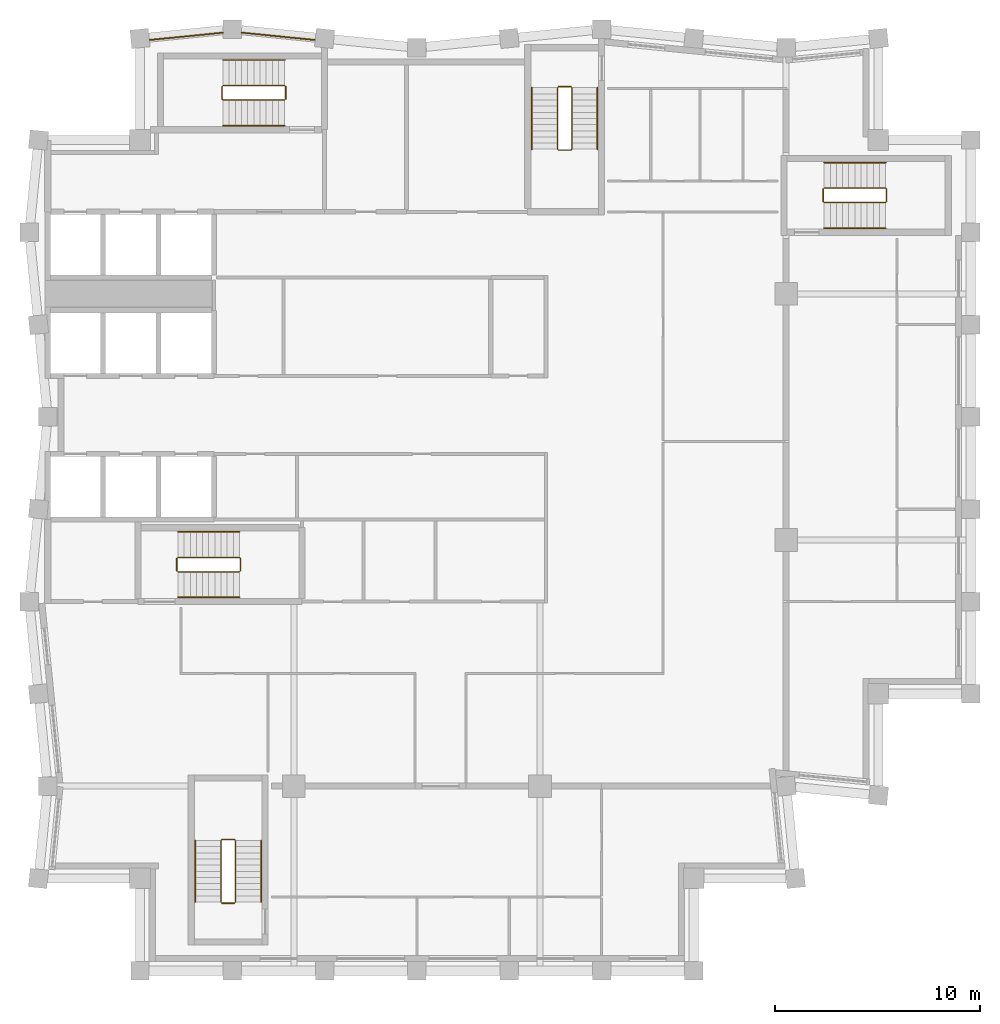
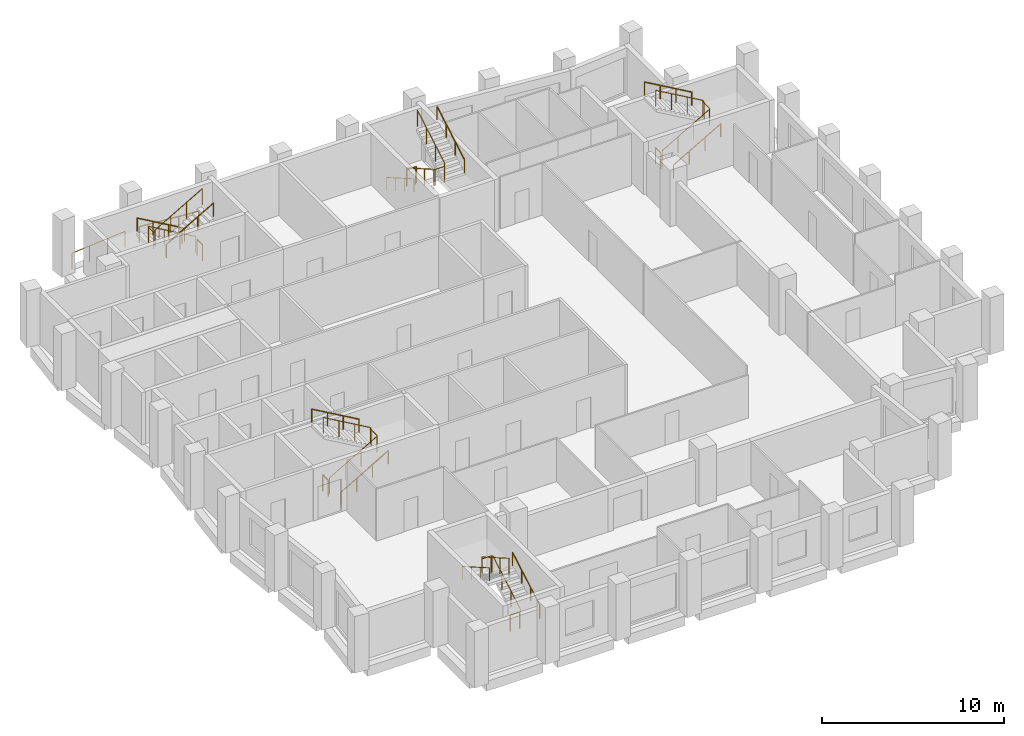
# One storey, part 7 of 7: 22 railings.
"""IFC4 building model written with IfcOpenShell, lengths in metres."""

from ifc_helpers import new_model, si_unit, direction, frame, origin, origin_2d, place, context, subcontext, project, spatial, circle, extrude, material, type_object, element, save


model = new_model("IFC4")

# Units and contexts
model_context = context("Model", 3, precision=1e-05, world=origin(), true_north=direction((0.0, 1.0)))
body_context = subcontext(model_context, "Body", "Model", "MODEL_VIEW")
ifc_project = project(units=[si_unit("LENGTHUNIT", "METRE"), si_unit("AREAUNIT", "SQUARE_METRE"), si_unit("VOLUMEUNIT", "CUBIC_METRE"), si_unit("PLANEANGLEUNIT", "RADIAN"), si_unit("MASSUNIT", "GRAM", prefix="KILO")], contexts=[model_context])

# Site, building, storey
site_placement = place(None, origin())
site = spatial("IfcSite", under=ifc_project, at=site_placement, CompositionType="ELEMENT")
building_placement = place(site_placement, origin())
building = spatial("IfcBuilding", under=site, at=building_placement, Name="Brondeck Convention Tower", CompositionType="ELEMENT")
storey_placement = place(building_placement, frame((0.0, 0.0, 271.39990234375)))
storey = spatial("IfcBuildingStorey", under=building, at=storey_placement, Name="L67", CompositionType="ELEMENT", Elevation=271.39990234375)

# Railings
ifc_material_1 = material(Name="Steel S355, bronze painted", Category="steel")
railing_type_1 = type_object("IfcRailingType", Name="Guard, bronze steel rail and posts", PredefinedType="GUARDRAIL", material=ifc_material_1)
railing_1_placement = place(storey_placement, frame((4.9794921875, 63.37744140625, 0.0)))
element("IfcRailing", 1, at=railing_1_placement, inside=storey, type_object=railing_type_1, Name="ENV-RL-L67-REAR1", PredefinedType="GUARDRAIL", context=body_context, shape_type="SweptSolid", body=[
    extrude(circle(Radius=0.02490234375, at=origin_2d()), frame((0.0, 0.0, 1.0751953125), z_axis=(0.995037864926, 0.099496971632, 0.0), x_axis=(-0.099496971632, 0.995037864926, 0.0)), (0.0, 0.0, 1.0), 3.58251953125),
    extrude(circle(Radius=0.02490234375, at=origin_2d()), origin(), (0.0, 0.0, 1.0), 1.050048828125),
    extrude(circle(Radius=0.02490234375, at=origin_2d()), frame((1.188232421875, 0.118896484375, 0.0)), (0.0, 0.0, 1.0), 1.050048828125),
    extrude(circle(Radius=0.02490234375, at=origin_2d()), frame((2.37646484375, 0.237548828125, 0.0)), (0.0, 0.0, 1.0), 1.050048828125),
    extrude(circle(Radius=0.02490234375, at=origin_2d()), frame((3.564697265625, 0.3564453125, 0.0)), (0.0, 0.0, 1.0), 1.050048828125),
])
railing_2_placement = place(storey_placement, frame((9.455810546875, 63.73388671875, 0.0)))
element("IfcRailing", 2, at=railing_2_placement, inside=storey, type_object=railing_type_1, Name="ENV-RL-L67-REAR2", PredefinedType="GUARDRAIL", context=body_context, shape_type="SweptSolid", body=[
    extrude(circle(Radius=0.02490234375, at=origin_2d()), frame((0.0, 0.0, 1.0751953125), z_axis=(0.995037864926, -0.099496971632, 0.0), x_axis=(0.099496971632, 0.995037864926, 0.0)), (0.0, 0.0, 1.0), 3.58251953125),
    extrude(circle(Radius=0.02490234375, at=origin_2d()), origin(), (0.0, 0.0, 1.0), 1.050048828125),
    extrude(circle(Radius=0.02490234375, at=origin_2d()), frame((1.188232421875, -0.118896484375, 0.0)), (0.0, 0.0, 1.0), 1.050048828125),
    extrude(circle(Radius=0.02490234375, at=origin_2d()), frame((2.37646484375, -0.237548828125, 0.0)), (0.0, 0.0, 1.0), 1.050048828125),
    extrude(circle(Radius=0.02490234375, at=origin_2d()), frame((3.564697265625, -0.3564453125, 0.0)), (0.0, 0.0, 1.0), 1.050048828125),
])
ifc_material_2 = material(Name="Steel S355", Category="steel")
railing_type_2 = type_object("IfcRailingType", Name="Stair guard 1100", PredefinedType="GUARDRAIL", material=ifc_material_2)
railing_3_placement = place(storey_placement, frame((6.35009765625, 37.449951171875, 0.1728515625)))
element("IfcRailing", 3, at=railing_3_placement, inside=storey, type_object=railing_type_2, Name="L67 ST-1 stair guard 1", PredefinedType="GUARDRAIL", context=body_context, shape_type="SweptSolid", body=[
    extrude(circle(Radius=0.02392578125, at=origin_2d()), frame((0.0, 0.0, 1.076171875), z_axis=(0.866619684472, 0.0, 0.498969260062), x_axis=(0.0, 1.0, 0.0)), (0.0, 0.0, 1.0), 3.461669921875),
    extrude(circle(Radius=0.02392578125, at=origin_2d()), frame((3.0, 0.0, 2.80322265625), z_axis=(0.705375805398, 0.708833529934, 0.0), x_axis=(-0.708833529934, 0.705375805398, 0.0)), (0.0, 0.0, 1.0), 0.070556640625),
    extrude(circle(Radius=0.02392578125, at=origin_2d()), frame((3.0498046875, 0.050048828125, 2.80322265625), z_axis=(0.0, 1.0, 0.0), x_axis=(-1.0, 0.0, 0.0)), (0.0, 0.0, 1.0), 0.60009765625),
    extrude(circle(Radius=0.02392578125, at=origin_2d()), frame((3.0498046875, 0.650146484375, 2.80322265625), z_axis=(-0.26715648603, 0.26715648603, 0.925880566782), x_axis=(-0.707106781187, -0.707106781187, 0.0)), (0.0, 0.0, 1.0), 0.1865234375),
    extrude(circle(Radius=0.02392578125, at=origin_2d()), frame((3.0, 0.699951171875, 2.97607421875), z_axis=(-0.866619684472, 0.0, 0.498969260062), x_axis=(0.0, -1.0, 0.0)), (0.0, 0.0, 1.0), 3.461669921875),
    extrude(circle(Radius=0.02099609375, at=origin_2d()), origin(), (0.0, 0.0, 1.0), 1.052001953125),
    extrude(circle(Radius=0.02099609375, at=origin_2d()), frame((1.0, 0.0, 0.57568359375)), (0.0, 0.0, 1.0), 1.052001953125),
    extrude(circle(Radius=0.02099609375, at=origin_2d()), frame((2.0, 0.0, 1.151611328125)), (0.0, 0.0, 1.0), 1.052001953125),
    extrude(circle(Radius=0.02099609375, at=origin_2d()), frame((3.0, 0.0, 1.727294921875)), (0.0, 0.0, 1.0), 1.052001953125),
    extrude(circle(Radius=0.02099609375, at=origin_2d()), frame((3.0498046875, 0.050048828125, 1.727294921875)), (0.0, 0.0, 1.0), 1.052001953125),
    extrude(circle(Radius=0.02099609375, at=origin_2d()), frame((3.0498046875, 0.650146484375, 1.727294921875)), (0.0, 0.0, 1.0), 1.052001953125),
    extrude(circle(Radius=0.02099609375, at=origin_2d()), frame((3.0, 0.699951171875, 1.89990234375)), (0.0, 0.0, 1.0), 1.052001953125),
    extrude(circle(Radius=0.02099609375, at=origin_2d()), frame((2.0, 0.699951171875, 2.4755859375)), (0.0, 0.0, 1.0), 1.052001953125),
    extrude(circle(Radius=0.02099609375, at=origin_2d()), frame((1.0, 0.699951171875, 3.051513671875)), (0.0, 0.0, 1.0), 1.052001953125),
    extrude(circle(Radius=0.02099609375, at=origin_2d()), frame((0.0, 0.699951171875, 3.627197265625)), (0.0, 0.0, 1.0), 1.052001953125),
])
railing_4_placement = place(storey_placement, frame((6.300048828125, 37.5, 0.0)))
element("IfcRailing", 4, at=railing_4_placement, inside=storey, type_object=railing_type_2, Name="L67 ST-1 stair guard 2", PredefinedType="GUARDRAIL", context=body_context, shape_type="SweptSolid", body=[
    extrude(circle(Radius=0.02392578125, at=origin_2d()), frame((0.0, 0.0, 1.076171875), z_axis=(0.0, 1.0, 0.0), x_axis=(-1.0, 0.0, 0.0)), (0.0, 0.0, 1.0), 0.60009765625),
    extrude(circle(Radius=0.02099609375, at=origin_2d()), origin(), (0.0, 0.0, 1.0), 1.052001953125),
    extrude(circle(Radius=0.02099609375, at=origin_2d()), frame((0.0, 0.60009765625, 0.0)), (0.0, 0.0, 1.0), 1.052001953125),
])
railing_5_placement = place(storey_placement, frame((24.85009765625, 61.050048828125, 0.1728515625)))
element("IfcRailing", 5, at=railing_5_placement, inside=storey, type_object=railing_type_2, Name="L67 ST-2 stair guard 1", PredefinedType="GUARDRAIL", context=body_context, shape_type="SweptSolid", body=[
    extrude(circle(Radius=0.02392578125, at=origin_2d()), frame((0.0, 0.0, 1.076171875), z_axis=(0.0, -0.866619684472, 0.498969260062), x_axis=(1.0, 0.0, 0.0)), (0.0, 0.0, 1.0), 3.461669921875),
    extrude(circle(Radius=0.02392578125, at=origin_2d()), frame((0.0, -3.0, 2.80322265625), z_axis=(0.705375805398, -0.708833529934, 0.0), x_axis=(0.708833529934, 0.705375805398, 0.0)), (0.0, 0.0, 1.0), 0.070556640625),
    extrude(circle(Radius=0.02392578125, at=origin_2d()), frame((0.0498046875, -3.050048828125, 2.80322265625), z_axis=(1.0, 0.0, 0.0), x_axis=(0.0, 1.0, 0.0)), (0.0, 0.0, 1.0), 0.60009765625),
    extrude(circle(Radius=0.02392578125, at=origin_2d()), frame((0.64990234375, -3.050048828125, 2.80322265625), z_axis=(0.268277960024, 0.268277960024, 0.925231793839), x_axis=(-0.707106781187, 0.707106781187, 0.0)), (0.0, 0.0, 1.0), 0.1865234375),
    extrude(circle(Radius=0.02392578125, at=origin_2d()), frame((0.699951171875, -3.0, 2.97607421875), z_axis=(0.0, 0.866619684472, 0.498969260062), x_axis=(-1.0, 0.0, 0.0)), (0.0, 0.0, 1.0), 3.461669921875),
    extrude(circle(Radius=0.02099609375, at=origin_2d()), origin(), (0.0, 0.0, 1.0), 1.052001953125),
    extrude(circle(Radius=0.02099609375, at=origin_2d()), frame((0.0, -1.0, 0.57568359375)), (0.0, 0.0, 1.0), 1.052001953125),
    extrude(circle(Radius=0.02099609375, at=origin_2d()), frame((0.0, -2.0, 1.151611328125)), (0.0, 0.0, 1.0), 1.052001953125),
    extrude(circle(Radius=0.02099609375, at=origin_2d()), frame((0.0, -3.0, 1.727294921875)), (0.0, 0.0, 1.0), 1.052001953125),
    extrude(circle(Radius=0.02099609375, at=origin_2d()), frame((0.0498046875, -3.050048828125, 1.727294921875)), (0.0, 0.0, 1.0), 1.052001953125),
    extrude(circle(Radius=0.02099609375, at=origin_2d()), frame((0.64990234375, -3.050048828125, 1.727294921875)), (0.0, 0.0, 1.0), 1.052001953125),
    extrude(circle(Radius=0.02099609375, at=origin_2d()), frame((0.699951171875, -3.0, 1.89990234375)), (0.0, 0.0, 1.0), 1.052001953125),
    extrude(circle(Radius=0.02099609375, at=origin_2d()), frame((0.699951171875, -2.0, 2.4755859375)), (0.0, 0.0, 1.0), 1.052001953125),
    extrude(circle(Radius=0.02099609375, at=origin_2d()), frame((0.699951171875, -1.0, 3.051513671875)), (0.0, 0.0, 1.0), 1.052001953125),
    extrude(circle(Radius=0.02099609375, at=origin_2d()), frame((0.699951171875, 0.0, 3.627197265625)), (0.0, 0.0, 1.0), 1.052001953125),
])
railing_6_placement = place(storey_placement, frame((24.89990234375, 61.10009765625, 0.0)))
element("IfcRailing", 6, at=railing_6_placement, inside=storey, type_object=railing_type_2, Name="L67 ST-2 stair guard 2", PredefinedType="GUARDRAIL", context=body_context, shape_type="SweptSolid", body=[
    extrude(circle(Radius=0.02392578125, at=origin_2d()), frame((0.0, 0.0, 1.076171875), z_axis=(1.0, 0.0, 0.0), x_axis=(0.0, 1.0, 0.0)), (0.0, 0.0, 1.0), 0.60009765625),
    extrude(circle(Radius=0.02099609375, at=origin_2d()), origin(), (0.0, 0.0, 1.0), 1.052001953125),
    extrude(circle(Radius=0.02099609375, at=origin_2d()), frame((0.60009765625, 0.0, 0.0)), (0.0, 0.0, 1.0), 1.052001953125),
])
railing_7_placement = place(storey_placement, frame((11.550048828125, 61.14990234375, 0.1728515625)))
element("IfcRailing", 7, at=railing_7_placement, inside=storey, type_object=railing_type_2, Name="L67 ST-3 stair guard 1", PredefinedType="GUARDRAIL", context=body_context, shape_type="SweptSolid", body=[
    extrude(circle(Radius=0.02392578125, at=origin_2d()), frame((0.0, 0.0, 1.076171875), z_axis=(-0.866619684472, 0.0, 0.498969260062), x_axis=(0.0, -1.0, 0.0)), (0.0, 0.0, 1.0), 3.461669921875),
    extrude(circle(Radius=0.02392578125, at=origin_2d()), frame((-3.0, 0.0, 2.80322265625), z_axis=(-0.708833529934, -0.705375805398, 0.0), x_axis=(0.705375805398, -0.708833529934, 0.0)), (0.0, 0.0, 1.0), 0.070556640625),
    extrude(circle(Radius=0.02392578125, at=origin_2d()), frame((-3.050048828125, -0.0498046875, 2.80322265625), z_axis=(0.0, -1.0, 0.0), x_axis=(1.0, 0.0, 0.0)), (0.0, 0.0, 1.0), 0.60009765625),
    extrude(circle(Radius=0.02392578125, at=origin_2d()), frame((-3.050048828125, -0.64990234375, 2.80322265625), z_axis=(0.268277960024, -0.268277960024, 0.925231793839), x_axis=(0.707106781187, 0.707106781187, 0.0)), (0.0, 0.0, 1.0), 0.1865234375),
    extrude(circle(Radius=0.02392578125, at=origin_2d()), frame((-3.0, -0.699951171875, 2.97607421875), z_axis=(0.866619684472, 0.0, 0.498969260062), x_axis=(0.0, 1.0, 0.0)), (0.0, 0.0, 1.0), 3.461669921875),
    extrude(circle(Radius=0.02099609375, at=origin_2d()), origin(), (0.0, 0.0, 1.0), 1.052001953125),
    extrude(circle(Radius=0.02099609375, at=origin_2d()), frame((-1.0, 0.0, 0.57568359375)), (0.0, 0.0, 1.0), 1.052001953125),
    extrude(circle(Radius=0.02099609375, at=origin_2d()), frame((-2.0, 0.0, 1.151611328125)), (0.0, 0.0, 1.0), 1.052001953125),
    extrude(circle(Radius=0.02099609375, at=origin_2d()), frame((-3.0, 0.0, 1.727294921875)), (0.0, 0.0, 1.0), 1.052001953125),
    extrude(circle(Radius=0.02099609375, at=origin_2d()), frame((-3.050048828125, -0.0498046875, 1.727294921875)), (0.0, 0.0, 1.0), 1.052001953125),
    extrude(circle(Radius=0.02099609375, at=origin_2d()), frame((-3.050048828125, -0.64990234375, 1.727294921875)), (0.0, 0.0, 1.0), 1.052001953125),
    extrude(circle(Radius=0.02099609375, at=origin_2d()), frame((-3.0, -0.699951171875, 1.89990234375)), (0.0, 0.0, 1.0), 1.052001953125),
    extrude(circle(Radius=0.02099609375, at=origin_2d()), frame((-2.0, -0.699951171875, 2.4755859375)), (0.0, 0.0, 1.0), 1.052001953125),
    extrude(circle(Radius=0.02099609375, at=origin_2d()), frame((-1.0, -0.699951171875, 3.051513671875)), (0.0, 0.0, 1.0), 1.052001953125),
    extrude(circle(Radius=0.02099609375, at=origin_2d()), frame((0.0, -0.699951171875, 3.627197265625)), (0.0, 0.0, 1.0), 1.052001953125),
])
railing_8_placement = place(storey_placement, frame((11.60009765625, 61.10009765625, 0.0)))
element("IfcRailing", 8, at=railing_8_placement, inside=storey, type_object=railing_type_2, Name="L67 ST-3 stair guard 2", PredefinedType="GUARDRAIL", context=body_context, shape_type="SweptSolid", body=[
    extrude(circle(Radius=0.02392578125, at=origin_2d()), frame((0.0, 0.0, 1.076171875), z_axis=(0.0, -1.0, 0.0), x_axis=(1.0, 0.0, 0.0)), (0.0, 0.0, 1.0), 0.60009765625),
    extrude(circle(Radius=0.02099609375, at=origin_2d()), origin(), (0.0, 0.0, 1.0), 1.052001953125),
    extrude(circle(Radius=0.02099609375, at=origin_2d()), frame((0.0, -0.60009765625, 0.0)), (0.0, 0.0, 1.0), 1.052001953125),
])
railing_9_placement = place(storey_placement, frame((37.85009765625, 55.449951171875, 0.1728515625)))
element("IfcRailing", 9, at=railing_9_placement, inside=storey, type_object=railing_type_2, Name="L67 ST-AE stair guard 1", PredefinedType="GUARDRAIL", context=body_context, shape_type="SweptSolid", body=[
    extrude(circle(Radius=0.02392578125, at=origin_2d()), frame((0.0, 0.0, 1.076171875), z_axis=(0.866619684472, 0.0, 0.498969260062), x_axis=(0.0, 1.0, 0.0)), (0.0, 0.0, 1.0), 3.461669921875),
    extrude(circle(Radius=0.02392578125, at=origin_2d()), frame((3.0, 0.0, 2.80322265625), z_axis=(0.705375805398, 0.708833529934, 0.0), x_axis=(-0.708833529934, 0.705375805398, 0.0)), (0.0, 0.0, 1.0), 0.070556640625),
    extrude(circle(Radius=0.02392578125, at=origin_2d()), frame((3.0498046875, 0.050048828125, 2.80322265625), z_axis=(0.0, 1.0, 0.0), x_axis=(-1.0, 0.0, 0.0)), (0.0, 0.0, 1.0), 0.60009765625),
    extrude(circle(Radius=0.02392578125, at=origin_2d()), frame((3.0498046875, 0.650146484375, 2.80322265625), z_axis=(-0.26715648603, 0.26715648603, 0.925880566782), x_axis=(-0.707106781187, -0.707106781187, 0.0)), (0.0, 0.0, 1.0), 0.1865234375),
    extrude(circle(Radius=0.02392578125, at=origin_2d()), frame((3.0, 0.699951171875, 2.97607421875), z_axis=(-0.866619684472, 0.0, 0.498969260062), x_axis=(0.0, -1.0, 0.0)), (0.0, 0.0, 1.0), 3.461669921875),
    extrude(circle(Radius=0.02099609375, at=origin_2d()), origin(), (0.0, 0.0, 1.0), 1.052001953125),
    extrude(circle(Radius=0.02099609375, at=origin_2d()), frame((1.0, 0.0, 0.57568359375)), (0.0, 0.0, 1.0), 1.052001953125),
    extrude(circle(Radius=0.02099609375, at=origin_2d()), frame((2.0, 0.0, 1.151611328125)), (0.0, 0.0, 1.0), 1.052001953125),
    extrude(circle(Radius=0.02099609375, at=origin_2d()), frame((3.0, 0.0, 1.727294921875)), (0.0, 0.0, 1.0), 1.052001953125),
    extrude(circle(Radius=0.02099609375, at=origin_2d()), frame((3.0498046875, 0.050048828125, 1.727294921875)), (0.0, 0.0, 1.0), 1.052001953125),
    extrude(circle(Radius=0.02099609375, at=origin_2d()), frame((3.0498046875, 0.650146484375, 1.727294921875)), (0.0, 0.0, 1.0), 1.052001953125),
    extrude(circle(Radius=0.02099609375, at=origin_2d()), frame((3.0, 0.699951171875, 1.89990234375)), (0.0, 0.0, 1.0), 1.052001953125),
    extrude(circle(Radius=0.02099609375, at=origin_2d()), frame((2.0, 0.699951171875, 2.4755859375)), (0.0, 0.0, 1.0), 1.052001953125),
    extrude(circle(Radius=0.02099609375, at=origin_2d()), frame((1.0, 0.699951171875, 3.051513671875)), (0.0, 0.0, 1.0), 1.052001953125),
    extrude(circle(Radius=0.02099609375, at=origin_2d()), frame((0.0, 0.699951171875, 3.627197265625)), (0.0, 0.0, 1.0), 1.052001953125),
])
railing_10_placement = place(storey_placement, frame((37.800048828125, 55.5, 0.0)))
element("IfcRailing", 10, at=railing_10_placement, inside=storey, type_object=railing_type_2, Name="L67 ST-AE stair guard 2", PredefinedType="GUARDRAIL", context=body_context, shape_type="SweptSolid", body=[
    extrude(circle(Radius=0.02392578125, at=origin_2d()), frame((0.0, 0.0, 1.076171875), z_axis=(0.0, 1.0, 0.0), x_axis=(-1.0, 0.0, 0.0)), (0.0, 0.0, 1.0), 0.60009765625),
    extrude(circle(Radius=0.02099609375, at=origin_2d()), origin(), (0.0, 0.0, 1.0), 1.052001953125),
    extrude(circle(Radius=0.02099609375, at=origin_2d()), frame((0.0, 0.60009765625, 0.0)), (0.0, 0.0, 1.0), 1.052001953125),
])
railing_11_placement = place(storey_placement, frame((9.14990234375, 21.35009765625, 0.1728515625)))
element("IfcRailing", 11, at=railing_11_placement, inside=storey, type_object=railing_type_2, Name="L67 ST-BE stair guard 1", PredefinedType="GUARDRAIL", context=body_context, shape_type="SweptSolid", body=[
    extrude(circle(Radius=0.02392578125, at=origin_2d()), frame((0.0, 0.0, 1.076171875), z_axis=(0.0, 0.866619684472, 0.498969260062), x_axis=(-1.0, 0.0, 0.0)), (0.0, 0.0, 1.0), 3.461669921875),
    extrude(circle(Radius=0.02392578125, at=origin_2d()), frame((0.0, 3.0, 2.80322265625), z_axis=(-0.707106781187, 0.707106781187, 0.0), x_axis=(-0.707106781187, -0.707106781187, 0.0)), (0.0, 0.0, 1.0), 0.0703125),
    extrude(circle(Radius=0.02392578125, at=origin_2d()), frame((-0.0498046875, 3.0498046875, 2.80322265625), z_axis=(-1.0, 0.0, 0.0), x_axis=(0.0, -1.0, 0.0)), (0.0, 0.0, 1.0), 0.60009765625),
    extrude(circle(Radius=0.02392578125, at=origin_2d()), frame((-0.64990234375, 3.0498046875, 2.80322265625), z_axis=(-0.268371968888, -0.267062837333, 0.925556009775), x_axis=(0.705375805398, -0.708833529934, 0.0)), (0.0, 0.0, 1.0), 0.1865234375),
    extrude(circle(Radius=0.02392578125, at=origin_2d()), frame((-0.699951171875, 3.0, 2.97607421875), z_axis=(0.0, -0.866619684472, 0.498969260062), x_axis=(1.0, 0.0, 0.0)), (0.0, 0.0, 1.0), 3.461669921875),
    extrude(circle(Radius=0.02099609375, at=origin_2d()), origin(), (0.0, 0.0, 1.0), 1.052001953125),
    extrude(circle(Radius=0.02099609375, at=origin_2d()), frame((0.0, 1.0, 0.57568359375)), (0.0, 0.0, 1.0), 1.052001953125),
    extrude(circle(Radius=0.02099609375, at=origin_2d()), frame((0.0, 2.0, 1.151611328125)), (0.0, 0.0, 1.0), 1.052001953125),
    extrude(circle(Radius=0.02099609375, at=origin_2d()), frame((0.0, 3.0, 1.727294921875)), (0.0, 0.0, 1.0), 1.052001953125),
    extrude(circle(Radius=0.02099609375, at=origin_2d()), frame((-0.0498046875, 3.0498046875, 1.727294921875)), (0.0, 0.0, 1.0), 1.052001953125),
    extrude(circle(Radius=0.02099609375, at=origin_2d()), frame((-0.64990234375, 3.0498046875, 1.727294921875)), (0.0, 0.0, 1.0), 1.052001953125),
    extrude(circle(Radius=0.02099609375, at=origin_2d()), frame((-0.699951171875, 3.0, 1.89990234375)), (0.0, 0.0, 1.0), 1.052001953125),
    extrude(circle(Radius=0.02099609375, at=origin_2d()), frame((-0.699951171875, 2.0, 2.4755859375)), (0.0, 0.0, 1.0), 1.052001953125),
    extrude(circle(Radius=0.02099609375, at=origin_2d()), frame((-0.699951171875, 1.0, 3.051513671875)), (0.0, 0.0, 1.0), 1.052001953125),
    extrude(circle(Radius=0.02099609375, at=origin_2d()), frame((-0.699951171875, 0.0, 3.627197265625)), (0.0, 0.0, 1.0), 1.052001953125),
])
railing_12_placement = place(storey_placement, frame((9.10009765625, 21.300048828125, 0.0)))
element("IfcRailing", 12, at=railing_12_placement, inside=storey, type_object=railing_type_2, Name="L67 ST-BE stair guard 2", PredefinedType="GUARDRAIL", context=body_context, shape_type="SweptSolid", body=[
    extrude(circle(Radius=0.02392578125, at=origin_2d()), frame((0.0, 0.0, 1.076171875), z_axis=(-1.0, 0.0, 0.0), x_axis=(0.0, -1.0, 0.0)), (0.0, 0.0, 1.0), 0.60009765625),
    extrude(circle(Radius=0.02099609375, at=origin_2d()), origin(), (0.0, 0.0, 1.0), 1.052001953125),
    extrude(circle(Radius=0.02099609375, at=origin_2d()), frame((-0.60009765625, 0.0, 0.0)), (0.0, 0.0, 1.0), 1.052001953125),
])
railing_type_3 = type_object("IfcRailingType", Name="Stair handrail", PredefinedType="HANDRAIL", material=ifc_material_2)
railing_13_placement = place(storey_placement, frame((6.35009765625, 36.199951171875, 0.1728515625)))
element("IfcRailing", 13, at=railing_13_placement, inside=storey, type_object=railing_type_3, Name="L67 ST-1 stair handrail 1", PredefinedType="HANDRAIL", context=body_context, shape_type="SweptSolid", body=[
    extrude(circle(Radius=0.02392578125, at=origin_2d()), frame((0.0, 0.0, 0.8759765625), z_axis=(0.866619684472, 0.0, 0.498969260062), x_axis=(0.0, 1.0, 0.0)), (0.0, 0.0, 1.0), 3.461669921875),
    extrude(circle(Radius=0.02099609375, at=origin_2d()), origin(), (0.0, 0.0, 1.0), 0.851806640625),
    extrude(circle(Radius=0.02099609375, at=origin_2d()), frame((1.0, 0.0, 0.57568359375)), (0.0, 0.0, 1.0), 0.851806640625),
    extrude(circle(Radius=0.02099609375, at=origin_2d()), frame((2.0, 0.0, 1.151611328125)), (0.0, 0.0, 1.0), 0.851806640625),
    extrude(circle(Radius=0.02099609375, at=origin_2d()), frame((3.0, 0.0, 1.727294921875)), (0.0, 0.0, 1.0), 0.851806640625),
])
railing_14_placement = place(storey_placement, frame((9.35009765625, 39.39990234375, 2.07275390625)))
element("IfcRailing", 14, at=railing_14_placement, inside=storey, type_object=railing_type_3, Name="L67 ST-1 stair handrail 2", PredefinedType="HANDRAIL", context=body_context, shape_type="SweptSolid", body=[
    extrude(circle(Radius=0.02392578125, at=origin_2d()), frame((0.0, 0.0, 0.8759765625), z_axis=(-0.866619684472, 0.0, 0.498969260062), x_axis=(0.0, -1.0, 0.0)), (0.0, 0.0, 1.0), 3.461669921875),
    extrude(circle(Radius=0.02099609375, at=origin_2d()), origin(), (0.0, 0.0, 1.0), 0.851806640625),
    extrude(circle(Radius=0.02099609375, at=origin_2d()), frame((-1.0, 0.0, 0.57568359375)), (0.0, 0.0, 1.0), 0.851806640625),
    extrude(circle(Radius=0.02099609375, at=origin_2d()), frame((-2.0, 0.0, 1.151611328125)), (0.0, 0.0, 1.0), 0.851806640625),
    extrude(circle(Radius=0.02099609375, at=origin_2d()), frame((-3.0, 0.0, 1.727294921875)), (0.0, 0.0, 1.0), 0.851806640625),
])
railing_15_placement = place(storey_placement, frame((23.60009765625, 61.050048828125, 0.1728515625)))
element("IfcRailing", 15, at=railing_15_placement, inside=storey, type_object=railing_type_3, Name="L67 ST-2 stair handrail 1", PredefinedType="HANDRAIL", context=body_context, shape_type="SweptSolid", body=[
    extrude(circle(Radius=0.02392578125, at=origin_2d()), frame((0.0, 0.0, 0.8759765625), z_axis=(0.0, -0.866619684472, 0.498969260062), x_axis=(1.0, 0.0, 0.0)), (0.0, 0.0, 1.0), 3.461669921875),
    extrude(circle(Radius=0.02099609375, at=origin_2d()), origin(), (0.0, 0.0, 1.0), 0.851806640625),
    extrude(circle(Radius=0.02099609375, at=origin_2d()), frame((0.0, -1.0, 0.57568359375)), (0.0, 0.0, 1.0), 0.851806640625),
    extrude(circle(Radius=0.02099609375, at=origin_2d()), frame((0.0, -2.0, 1.151611328125)), (0.0, 0.0, 1.0), 0.851806640625),
    extrude(circle(Radius=0.02099609375, at=origin_2d()), frame((0.0, -3.0, 1.727294921875)), (0.0, 0.0, 1.0), 0.851806640625),
])
railing_16_placement = place(storey_placement, frame((26.800048828125, 58.050048828125, 2.07275390625)))
element("IfcRailing", 16, at=railing_16_placement, inside=storey, type_object=railing_type_3, Name="L67 ST-2 stair handrail 2", PredefinedType="HANDRAIL", context=body_context, shape_type="SweptSolid", body=[
    extrude(circle(Radius=0.02392578125, at=origin_2d()), frame((0.0, 0.0, 0.8759765625), z_axis=(0.0, 0.866619684472, 0.498969260062), x_axis=(-1.0, 0.0, 0.0)), (0.0, 0.0, 1.0), 3.461669921875),
    extrude(circle(Radius=0.02099609375, at=origin_2d()), origin(), (0.0, 0.0, 1.0), 0.851806640625),
    extrude(circle(Radius=0.02099609375, at=origin_2d()), frame((0.0, 1.0, 0.57568359375)), (0.0, 0.0, 1.0), 0.851806640625),
    extrude(circle(Radius=0.02099609375, at=origin_2d()), frame((0.0, 2.0, 1.151611328125)), (0.0, 0.0, 1.0), 0.851806640625),
    extrude(circle(Radius=0.02099609375, at=origin_2d()), frame((0.0, 3.0, 1.727294921875)), (0.0, 0.0, 1.0), 0.851806640625),
])
railing_17_placement = place(storey_placement, frame((11.550048828125, 62.39990234375, 0.1728515625)))
element("IfcRailing", 17, at=railing_17_placement, inside=storey, type_object=railing_type_3, Name="L67 ST-3 stair handrail 1", PredefinedType="HANDRAIL", context=body_context, shape_type="SweptSolid", body=[
    extrude(circle(Radius=0.02392578125, at=origin_2d()), frame((0.0, 0.0, 0.8759765625), z_axis=(-0.866619684472, 0.0, 0.498969260062), x_axis=(0.0, -1.0, 0.0)), (0.0, 0.0, 1.0), 3.461669921875),
    extrude(circle(Radius=0.02099609375, at=origin_2d()), origin(), (0.0, 0.0, 1.0), 0.851806640625),
    extrude(circle(Radius=0.02099609375, at=origin_2d()), frame((-1.0, 0.0, 0.57568359375)), (0.0, 0.0, 1.0), 0.851806640625),
    extrude(circle(Radius=0.02099609375, at=origin_2d()), frame((-2.0, 0.0, 1.151611328125)), (0.0, 0.0, 1.0), 0.851806640625),
    extrude(circle(Radius=0.02099609375, at=origin_2d()), frame((-3.0, 0.0, 1.727294921875)), (0.0, 0.0, 1.0), 0.851806640625),
])
for number, where, name in (
    (18, (8.550048828125, 59.199951171875, 2.07275390625), "L67 ST-3 stair handrail 2"),
    (19, (37.85009765625, 54.199951171875, 0.1728515625), "L67 ST-AE stair handrail 1"),
):
    element("IfcRailing", number, at=place(storey_placement, frame(where)), inside=storey, type_object=railing_type_3, Name=name, PredefinedType="HANDRAIL", context=body_context, shape_type="SweptSolid", body=[
        extrude(circle(Radius=0.02392578125, at=origin_2d()), frame((0.0, 0.0, 0.8759765625), z_axis=(0.866619684472, 0.0, 0.498969260062), x_axis=(0.0, 1.0, 0.0)), (0.0, 0.0, 1.0), 3.461669921875),
        extrude(circle(Radius=0.02099609375, at=origin_2d()), origin(), (0.0, 0.0, 1.0), 0.851806640625),
        extrude(circle(Radius=0.02099609375, at=origin_2d()), frame((1.0, 0.0, 0.57568359375)), (0.0, 0.0, 1.0), 0.851806640625),
        extrude(circle(Radius=0.02099609375, at=origin_2d()), frame((2.0, 0.0, 1.151611328125)), (0.0, 0.0, 1.0), 0.851806640625),
        extrude(circle(Radius=0.02099609375, at=origin_2d()), frame((3.0, 0.0, 1.727294921875)), (0.0, 0.0, 1.0), 0.851806640625),
    ])
railing_18_placement = place(storey_placement, frame((40.85009765625, 57.39990234375, 2.07275390625)))
element("IfcRailing", 20, at=railing_18_placement, inside=storey, type_object=railing_type_3, Name="L67 ST-AE stair handrail 2", PredefinedType="HANDRAIL", context=body_context, shape_type="SweptSolid", body=[
    extrude(circle(Radius=0.02392578125, at=origin_2d()), frame((0.0, 0.0, 0.8759765625), z_axis=(-0.866619684472, 0.0, 0.498969260062), x_axis=(0.0, -1.0, 0.0)), (0.0, 0.0, 1.0), 3.461669921875),
    extrude(circle(Radius=0.02099609375, at=origin_2d()), origin(), (0.0, 0.0, 1.0), 0.851806640625),
    extrude(circle(Radius=0.02099609375, at=origin_2d()), frame((-1.0, 0.0, 0.57568359375)), (0.0, 0.0, 1.0), 0.851806640625),
    extrude(circle(Radius=0.02099609375, at=origin_2d()), frame((-2.0, 0.0, 1.151611328125)), (0.0, 0.0, 1.0), 0.851806640625),
    extrude(circle(Radius=0.02099609375, at=origin_2d()), frame((-3.0, 0.0, 1.727294921875)), (0.0, 0.0, 1.0), 0.851806640625),
])
railing_19_placement = place(storey_placement, frame((10.39990234375, 21.35009765625, 0.1728515625)))
element("IfcRailing", 21, at=railing_19_placement, inside=storey, type_object=railing_type_3, Name="L67 ST-BE stair handrail 1", PredefinedType="HANDRAIL", context=body_context, shape_type="SweptSolid", body=[
    extrude(circle(Radius=0.02392578125, at=origin_2d()), frame((0.0, 0.0, 0.8759765625), z_axis=(0.0, 0.866619684472, 0.498969260062), x_axis=(-1.0, 0.0, 0.0)), (0.0, 0.0, 1.0), 3.461669921875),
    extrude(circle(Radius=0.02099609375, at=origin_2d()), origin(), (0.0, 0.0, 1.0), 0.851806640625),
    extrude(circle(Radius=0.02099609375, at=origin_2d()), frame((0.0, 1.0, 0.57568359375)), (0.0, 0.0, 1.0), 0.851806640625),
    extrude(circle(Radius=0.02099609375, at=origin_2d()), frame((0.0, 2.0, 1.151611328125)), (0.0, 0.0, 1.0), 0.851806640625),
    extrude(circle(Radius=0.02099609375, at=origin_2d()), frame((0.0, 3.0, 1.727294921875)), (0.0, 0.0, 1.0), 0.851806640625),
])
railing_20_placement = place(storey_placement, frame((7.199951171875, 24.35009765625, 2.07275390625)))
element("IfcRailing", 22, at=railing_20_placement, inside=storey, type_object=railing_type_3, Name="L67 ST-BE stair handrail 2", PredefinedType="HANDRAIL", context=body_context, shape_type="SweptSolid", body=[
    extrude(circle(Radius=0.02392578125, at=origin_2d()), frame((0.0, 0.0, 0.8759765625), z_axis=(0.0, -0.866619684472, 0.498969260062), x_axis=(1.0, 0.0, 0.0)), (0.0, 0.0, 1.0), 3.461669921875),
    extrude(circle(Radius=0.02099609375, at=origin_2d()), origin(), (0.0, 0.0, 1.0), 0.851806640625),
    extrude(circle(Radius=0.02099609375, at=origin_2d()), frame((0.0, -1.0, 0.57568359375)), (0.0, 0.0, 1.0), 0.851806640625),
    extrude(circle(Radius=0.02099609375, at=origin_2d()), frame((0.0, -2.0, 1.151611328125)), (0.0, 0.0, 1.0), 0.851806640625),
    extrude(circle(Radius=0.02099609375, at=origin_2d()), frame((0.0, -3.0, 1.727294921875)), (0.0, 0.0, 1.0), 0.851806640625),
])

save(model, "model.ifc")
